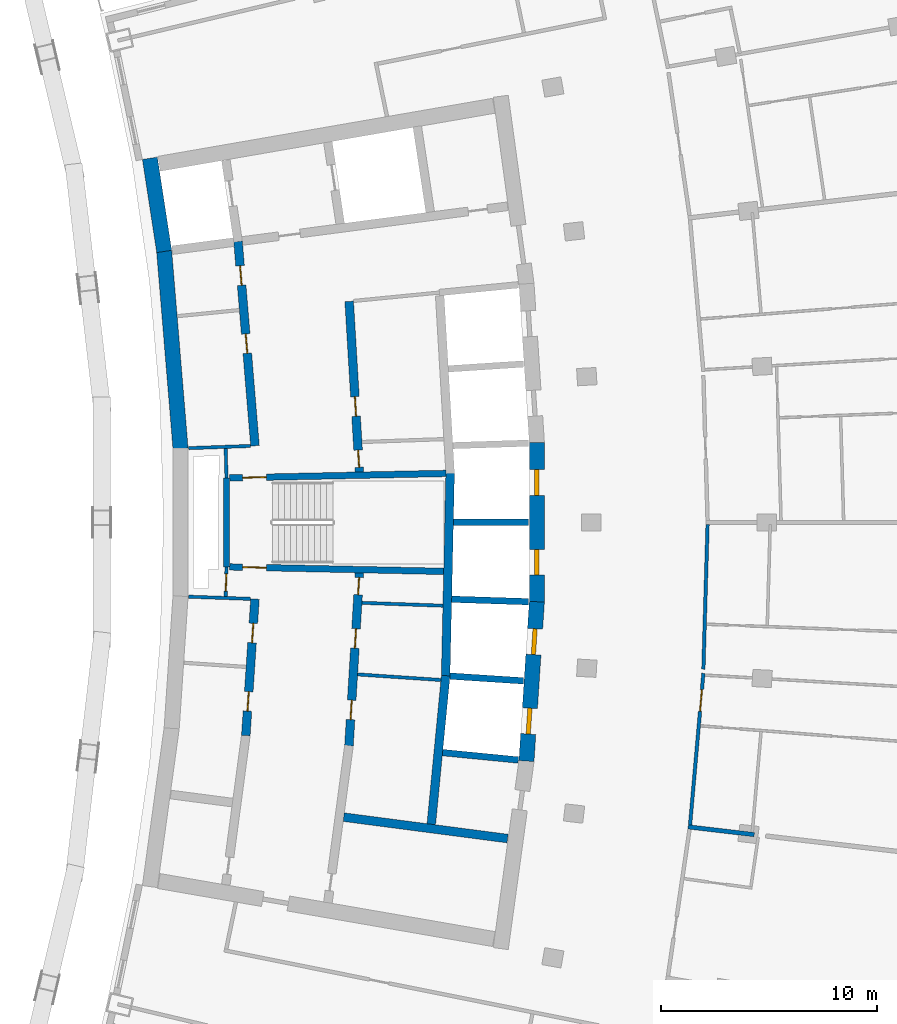
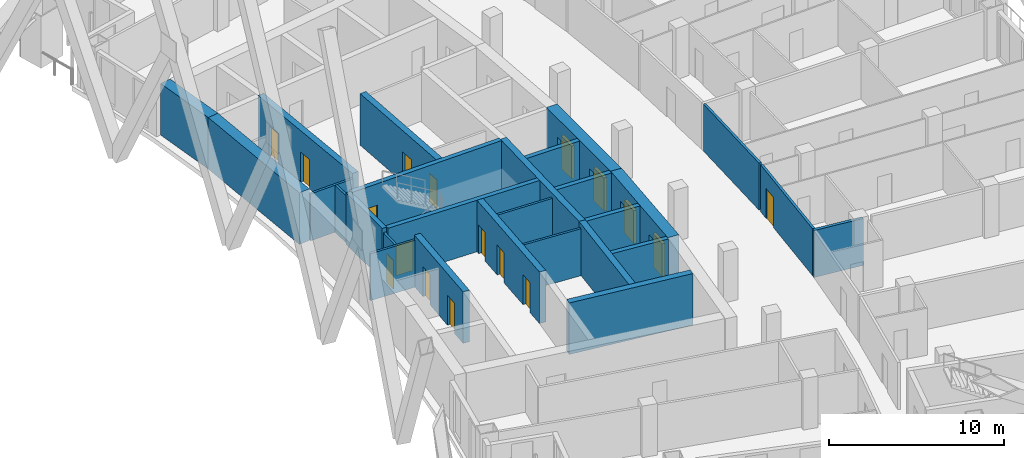
# One storey, part 12 of 20: 27 walls, 17 doors, 17 openings.
"""IFC4 building model written with IfcOpenShell, lengths in metres."""

from ifc_helpers import new_model, si_unit, direction, frame, frame_2d, origin, place, context, subcontext, project, spatial, rectangle, extrude, material, layer, layer_set, type_object, element, fill, save


model = new_model("IFC4")

# Units and contexts
model_context = context("Model", 3, precision=1e-05, world=origin(), true_north=direction((0.0, 1.0)))
body_context = subcontext(model_context, "Body", "Model", "MODEL_VIEW")
ifc_project = project(units=[si_unit("LENGTHUNIT", "METRE"), si_unit("AREAUNIT", "SQUARE_METRE"), si_unit("VOLUMEUNIT", "CUBIC_METRE"), si_unit("PLANEANGLEUNIT", "RADIAN"), si_unit("MASSUNIT", "GRAM", prefix="KILO")], contexts=[model_context])

# Site, building, storey
site_placement = place(None, origin())
site = spatial("IfcSite", under=ifc_project, at=site_placement, CompositionType="ELEMENT")
building_placement = place(site_placement, origin())
building = spatial("IfcBuilding", under=site, at=building_placement, Name="Alderwake Tower", CompositionType="ELEMENT")
storey_placement = place(building_placement, frame((0.0, 0.0, 138.800048828125)))
storey = spatial("IfcBuildingStorey", under=building, at=storey_placement, Name="L33", CompositionType="ELEMENT", Elevation=138.800048828125)

# Wall
ifc_material_1 = material(Name="Gypsum shaft wall system, rated")
ifc_layer_1 = layer(ifc_material_1, 0.14990234375)
ifc_layer_set_1 = layer_set([ifc_layer_1], Name="Core riser partition 150")
wall_type_1 = type_object("IfcWallType", Name="Core riser partition 150", PredefinedType="PARTITIONING", material=ifc_layer_set_1)
wall_1_placement = place(storey_placement, frame((25.1904296875, 57.276611328125, 0.0), z_axis=(0.0, 0.0, 1.0), x_axis=(0.99937350076, -0.035392173974, 0.0)))
element("IfcWall", 1, at=wall_1_placement, inside=storey, type_object=wall_type_1, Name="CW/L33/PR-37_+86", PredefinedType="PARTITIONING", context=body_context, shape_type="SweptSolid", body=[
    extrude(rectangle(XDim=3.752685546875, YDim=0.14990234375, at=frame_2d((1.87646484375, 0.0))), origin(), (0.0, 0.0, 1.0), 3.280029296875),
])

# Wall, opening, door
ifc_material_2 = material(Name="Gypsum shaft wall system, rated")
ifc_layer_2 = layer(ifc_material_2, 0.14990234375)
ifc_layer_set_2 = layer_set([ifc_layer_2], Name="Core room partition 150")
wall_type_2 = type_object("IfcWallType", Name="Core room partition 150", PredefinedType="PARTITIONING", material=ifc_layer_set_2)
wall_2_placement = place(storey_placement, frame((18.918701171875, 58.94384765625, 0.0), z_axis=(0.0, 0.0, 1.0), x_axis=(-0.027811602725, -0.999613182563, 0.0)))
wall_2 = element("IfcWall", 2, at=wall_2_placement, inside=storey, type_object=wall_type_2, Name="CW/L33/PA+24_-37", PredefinedType="PARTITIONING", context=body_context, shape_type="SweptSolid", body=[
    extrude(rectangle(XDim=1.369384765625, YDim=0.14990234375, at=frame_2d((0.6845703125, 0.0))), origin(), (0.0, 0.0, 1.0), 3.280029296875),
])
opening_1_placement = place(wall_2_placement, frame((0.322998046875, 0.0, 0.0)))
opening_1 = element("IfcOpeningElement", 3, at=opening_1_placement, cuts=wall_2, Name="Opening C004", PredefinedType="OPENING", context=body_context, shape_type="SweptSolid", body=[
    extrude(rectangle(XDim=0.800048828125, YDim=2.0, at=frame_2d((0.39990234375, 1.0))), frame((0.0, 0.0849609375, 0.0), z_axis=(0.0, -1.0, 0.0), x_axis=(1.0, 0.0, 0.0)), (0.0, 0.0, 1.0), 0.169921875),
])
ifc_material_3 = material(Name="Painted steel leaf, rated", Category="steel")
door_type_1 = type_object("IfcDoorType", Name="Riser access door 800", OperationType="SINGLE_SWING_LEFT", PredefinedType="DOOR", material=ifc_material_3)
door_1_placement = place(opening_1_placement, origin())
door_1 = element("IfcDoor", 4, at=door_1_placement, inside=storey, type_object=door_type_1, Name="Riser access door", OperationType="SINGLE_SWING_RIGHT", OverallHeight=2.0, OverallWidth=0.800048828125, PredefinedType="DOOR", context=body_context, shape_type="SweptSolid", body=[
    extrude(rectangle(XDim=0.800048828125, YDim=2.0, at=frame_2d((0.39990234375, 1.0))), frame((0.0, 0.02490234375, 0.0), z_axis=(0.0, -1.0, 0.0), x_axis=(1.0, 0.0, 0.0)), (0.0, 0.0, 1.0), 0.050048828125),
])
fill(opening_1, door_1)

# Walls
wall_3_placement = place(storey_placement, frame((18.918701171875, 63.05517578125, 0.0), z_axis=(0.0, 0.0, 1.0), x_axis=(-0.027791791559, 0.99961373356, 0.0)))
element("IfcWall", 5, at=wall_3_placement, inside=storey, type_object=wall_type_2, Name="CW/L33/PA+24_+22", PredefinedType="PARTITIONING", context=body_context, shape_type="SweptSolid", body=[
    extrude(rectangle(XDim=1.370361328125, YDim=0.14990234375, at=frame_2d((0.68505859375, 0.0))), origin(), (0.0, 0.0, 1.0), 3.280029296875),
])
wall_4_placement = place(storey_placement, frame((24.990234375, 53.96142578125, 0.0), z_axis=(0.0, 0.0, 1.0), x_axis=(0.997758824467, -0.06691284031, 0.0)))
element("IfcWall", 6, at=wall_4_placement, inside=storey, type_object=wall_type_2, Name="CW/L33/PR-70_+86", PredefinedType="PARTITIONING", context=body_context, shape_type="SweptSolid", body=[
    extrude(rectangle(XDim=3.86767578125, YDim=0.14990234375, at=frame_2d((1.933837890625, 0.0))), origin(), (0.0, 0.0, 1.0), 3.280029296875),
])
wall_5_placement = place(storey_placement, frame((17.169189453125, 57.560546875, 0.0), z_axis=(0.0, 0.0, 1.0), x_axis=(0.999373538371, -0.03539111194, 0.0)))
element("IfcWall", 7, at=wall_5_placement, inside=storey, type_object=wall_type_2, Name="CW/L33/PR-37_+0", PredefinedType="PARTITIONING", context=body_context, shape_type="SweptSolid", body=[
    extrude(rectangle(XDim=2.86962890625, YDim=0.14990234375, at=frame_2d((1.434814453125, 0.0))), origin(), (0.0, 0.0, 1.0), 3.280029296875),
])
wall_6_placement = place(storey_placement, frame((17.16943359375, 64.439453125, 0.0), z_axis=(0.0, 0.0, 1.0), x_axis=(0.999373431798, 0.035394121201, 0.0)))
element("IfcWall", 8, at=wall_6_placement, inside=storey, type_object=wall_type_2, Name="CW/L33/PR+37_+0", PredefinedType="PARTITIONING", context=body_context, shape_type="SweptSolid", body=[
    extrude(rectangle(XDim=2.869384765625, YDim=0.14990234375, at=frame_2d((1.4345703125, 0.0))), origin(), (0.0, 0.0, 1.0), 3.280029296875),
])
ifc_material_4 = material(Name="Concrete C70/85", Category="concrete")
ifc_layer_3 = layer(ifc_material_4, 0.699951171875)
ifc_layer_set_3 = layer_set([ifc_layer_3], Name="Core wall outer 700 C70-85")
wall_type_3 = type_object("IfcWallType", Name="Core wall outer 700 C70-85", PredefinedType="SHEAR", material=ifc_layer_set_3)
wall_7_placement = place(storey_placement, frame((16.79052734375, 64.4111328125, 0.0), z_axis=(0.0, 0.0, 1.0), x_axis=(-0.082616907099, 0.996581379849, 0.0)))
element("IfcWall", 9, at=wall_7_placement, inside=storey, type_object=wall_type_3, Name="Core wall CW.040", PredefinedType="SHEAR", context=body_context, shape_type="SweptSolid", body=[
    extrude(rectangle(XDim=9.193359375, YDim=0.699951171875, at=frame_2d((4.5966796875, 0.0))), origin(), (0.0, 0.0, 1.0), 3.599853515625),
])
wall_8_placement = place(storey_placement, frame((16.033935546875, 73.547607421875, 0.0), z_axis=(0.0, 0.0, 1.0), x_axis=(-0.151897483467, 0.988396253795, 0.0)))
element("IfcWall", 10, at=wall_8_placement, inside=storey, type_object=wall_type_3, Name="Core wall CW.039", PredefinedType="SHEAR", context=body_context, shape_type="SweptSolid", body=[
    extrude(rectangle(XDim=4.365234375, YDim=0.699951171875, at=frame_2d((2.1826171875, 0.0))), origin(), (0.0, 0.0, 1.0), 3.599853515625),
])

# Wall, openings, doors
wall_9_placement = place(storey_placement, frame((32.810302734375, 49.9482421875, 0.0), z_axis=(0.0, 0.0, 1.0), x_axis=(0.065009096017, 0.99788467141, 0.0)))
wall_9 = element("IfcWall", 11, at=wall_9_placement, inside=storey, type_object=wall_type_3, Name="Core wall CW.011", PredefinedType="SHEAR", context=body_context, shape_type="SweptSolid", body=[
    extrude(rectangle(XDim=7.39453125, YDim=0.699951171875, at=frame_2d((3.697265625, 0.0))), origin(), (0.0, 0.0, 1.0), 3.599853515625),
])
opening_2_placement = place(wall_9_placement, frame((1.255126953125, 0.0, 0.0)))
opening_2 = element("IfcOpeningElement", 12, at=opening_2_placement, cuts=wall_9, Name="Opening LD-HP1", PredefinedType="OPENING", context=body_context, shape_type="SweptSolid", body=[
    extrude(rectangle(XDim=1.199951171875, YDim=2.300048828125, at=frame_2d((0.60009765625, 1.14990234375))), frame((0.0, 0.35986328125, 0.0), z_axis=(0.0, -1.0, 0.0), x_axis=(1.0, 0.0, 0.0)), (0.0, 0.0, 1.0), 0.719970703125),
])
opening_3_placement = place(wall_9_placement, frame((4.9404296875, 0.0, 0.0)))
opening_3 = element("IfcOpeningElement", 13, at=opening_3_placement, cuts=wall_9, Name="Opening LD-HP2", PredefinedType="OPENING", context=body_context, shape_type="SweptSolid", body=[
    extrude(rectangle(XDim=1.199951171875, YDim=2.300048828125, at=frame_2d((0.60009765625, 1.14990234375))), frame((0.0, 0.35986328125, 0.0), z_axis=(0.0, -1.0, 0.0), x_axis=(1.0, 0.0, 0.0)), (0.0, 0.0, 1.0), 0.719970703125),
])
ifc_material_5 = material(Name="Stainless steel sliding leaf", Category="steel")
door_type_2 = type_object("IfcDoorType", Name="Lift landing door 1200", OperationType="SLIDING_TO_LEFT", PredefinedType="DOOR", material=ifc_material_5)
door_2_placement = place(opening_2_placement, origin())
door_2 = element("IfcDoor", 14, at=door_2_placement, inside=storey, type_object=door_type_2, Name="Lift landing door HP1", OperationType="SLIDING_TO_LEFT", OverallHeight=2.300048828125, OverallWidth=1.199951171875, PredefinedType="DOOR", context=body_context, shape_type="SweptSolid", body=[
    extrude(rectangle(XDim=1.199951171875, YDim=2.300048828125, at=frame_2d((0.60009765625, 1.14990234375))), frame((0.0, 0.10009765625, 0.0), z_axis=(0.0, -1.0, 0.0), x_axis=(1.0, 0.0, 0.0)), (0.0, 0.0, 1.0), 0.199951171875),
])
fill(opening_2, door_2)
door_3_placement = place(opening_3_placement, origin())
door_3 = element("IfcDoor", 15, at=door_3_placement, inside=storey, type_object=door_type_2, Name="Lift landing door HP2", OperationType="SLIDING_TO_LEFT", OverallHeight=2.300048828125, OverallWidth=1.199951171875, PredefinedType="DOOR", context=body_context, shape_type="SweptSolid", body=[
    extrude(rectangle(XDim=1.199951171875, YDim=2.300048828125, at=frame_2d((0.60009765625, 1.14990234375))), frame((0.0, 0.10009765625, 0.0), z_axis=(0.0, -1.0, 0.0), x_axis=(1.0, 0.0, 0.0)), (0.0, 0.0, 1.0), 0.199951171875),
])
fill(opening_3, door_3)

wall_10_placement = place(storey_placement, frame((33.2900390625, 57.30322265625, 0.0), z_axis=(0.0, 0.0, 1.0), x_axis=(0.0, 1.0, 0.0)))
wall_10 = element("IfcWall", 16, at=wall_10_placement, inside=storey, type_object=wall_type_3, Name="Core wall CW.013", PredefinedType="SHEAR", context=body_context, shape_type="SweptSolid", body=[
    extrude(rectangle(XDim=7.3935546875, YDim=0.699951171875, at=frame_2d((3.69677734375, 0.0))), origin(), (0.0, 0.0, 1.0), 3.599853515625),
])
opening_4_placement = place(wall_10_placement, frame((1.254150390625, 0.0, 0.0)))
opening_4 = element("IfcOpeningElement", 17, at=opening_4_placement, cuts=wall_10, Name="Opening LD-HP3", PredefinedType="OPENING", context=body_context, shape_type="SweptSolid", body=[
    extrude(rectangle(XDim=1.199951171875, YDim=2.300048828125, at=frame_2d((0.60009765625, 1.14990234375))), frame((0.0, 0.35986328125, 0.0), z_axis=(0.0, -1.0, 0.0), x_axis=(1.0, 0.0, 0.0)), (0.0, 0.0, 1.0), 0.719970703125),
])
opening_5_placement = place(wall_10_placement, frame((4.939208984375, 0.0, 0.0)))
opening_5 = element("IfcOpeningElement", 18, at=opening_5_placement, cuts=wall_10, Name="Opening LD-HP4", PredefinedType="OPENING", context=body_context, shape_type="SweptSolid", body=[
    extrude(rectangle(XDim=1.199951171875, YDim=2.300048828125, at=frame_2d((0.60009765625, 1.14990234375))), frame((0.0, 0.35986328125, 0.0), z_axis=(0.0, -1.0, 0.0), x_axis=(1.0, 0.0, 0.0)), (0.0, 0.0, 1.0), 0.719970703125),
])
door_4_placement = place(opening_4_placement, origin())
door_4 = element("IfcDoor", 19, at=door_4_placement, inside=storey, type_object=door_type_2, Name="Lift landing door HP3", OperationType="SLIDING_TO_LEFT", OverallHeight=2.300048828125, OverallWidth=1.199951171875, PredefinedType="DOOR", context=body_context, shape_type="SweptSolid", body=[
    extrude(rectangle(XDim=1.199951171875, YDim=2.300048828125, at=frame_2d((0.60009765625, 1.14990234375))), frame((0.0, 0.10009765625, 0.0), z_axis=(0.0, -1.0, 0.0), x_axis=(1.0, 0.0, 0.0)), (0.0, 0.0, 1.0), 0.199951171875),
])
fill(opening_4, door_4)
door_5_placement = place(opening_5_placement, origin())
door_5 = element("IfcDoor", 20, at=door_5_placement, inside=storey, type_object=door_type_2, Name="Lift landing door HP4", OperationType="SLIDING_TO_LEFT", OverallHeight=2.300048828125, OverallWidth=1.199951171875, PredefinedType="DOOR", context=body_context, shape_type="SweptSolid", body=[
    extrude(rectangle(XDim=1.199951171875, YDim=2.300048828125, at=frame_2d((0.60009765625, 1.14990234375))), frame((0.0, 0.10009765625, 0.0), z_axis=(0.0, -1.0, 0.0), x_axis=(1.0, 0.0, 0.0)), (0.0, 0.0, 1.0), 0.199951171875),
])
fill(opening_5, door_5)

# Walls
ifc_material_6 = material(Name="Concrete C70/85", Category="concrete")
ifc_layer_4 = layer(ifc_material_6, 0.300048828125)
ifc_layer_set_4 = layer_set([ifc_layer_4], Name="Core wall shaft 300 C70-85")
wall_type_4 = type_object("IfcWallType", Name="Core wall shaft 300 C70-85", PredefinedType="SHEAR", material=ifc_layer_set_4)
wall_11_placement = place(storey_placement, frame((28.92529296875, 50.341552734375, 0.0), z_axis=(0.0, 0.0, 1.0), x_axis=(0.995245524877, -0.097397870674, 0.0)))
element("IfcWall", 21, at=wall_11_placement, inside=storey, type_object=wall_type_4, Name="Core wall CW.064", PredefinedType="SHEAR", context=body_context, shape_type="SweptSolid", body=[
    extrude(rectangle(XDim=3.5244140625, YDim=0.300048828125, at=frame_2d((1.76220703125, 0.0))), origin(), (0.0, 0.0, 1.0), 3.599853515625),
])
wall_12_placement = place(storey_placement, frame((29.268798828125, 53.884521484375, 0.0), z_axis=(0.0, 0.0, 1.0), x_axis=(0.997884450261, -0.065012490553, 0.0)))
element("IfcWall", 22, at=wall_12_placement, inside=storey, type_object=wall_type_4, Name="Core wall CW.078", PredefinedType="SHEAR", context=body_context, shape_type="SweptSolid", body=[
    extrude(rectangle(XDim=3.409912109375, YDim=0.300048828125, at=frame_2d((1.705078125, 0.0))), origin(), (0.0, 0.0, 1.0), 3.599853515625),
])
wall_13_placement = place(storey_placement, frame((29.347412109375, 57.443603515625, 0.0), z_axis=(0.0, 0.0, 1.0), x_axis=(0.999470674121, -0.03253262319, 0.0)))
element("IfcWall", 23, at=wall_13_placement, inside=storey, type_object=wall_type_4, Name="Core wall CW.075", PredefinedType="SHEAR", context=body_context, shape_type="SweptSolid", body=[
    extrude(rectangle(XDim=3.564697265625, YDim=0.300048828125, at=frame_2d((1.7822265625, 0.0))), origin(), (0.0, 0.0, 1.0), 3.599853515625),
])
wall_14_placement = place(storey_placement, frame((29.426025390625, 61.0, 0.0), z_axis=(0.0, 0.0, 1.0), x_axis=(1.0, 0.0, 0.0)))
element("IfcWall", 24, at=wall_14_placement, inside=storey, type_object=wall_type_4, Name="Core wall CW.048", PredefinedType="SHEAR", context=body_context, shape_type="SweptSolid", body=[
    extrude(rectangle(XDim=3.484130859375, YDim=0.300048828125, at=frame_2d((1.7421875, 0.0))), origin(), (0.0, 0.0, 1.0), 3.599853515625),
])

# Wall, openings, doors
ifc_material_7 = material(Name="Concrete C70/85", Category="concrete")
ifc_layer_5 = layer(ifc_material_7, 0.39990234375)
ifc_layer_set_5 = layer_set([ifc_layer_5], Name="Core wall spine 400 C70-85")
wall_type_5 = type_object("IfcWallType", Name="Core wall spine 400 C70-85", PredefinedType="SHEAR", material=ifc_layer_set_5)
wall_15_placement = place(storey_placement, frame((20.2373046875, 57.451904296875, 0.0), z_axis=(0.0, 0.0, 1.0), x_axis=(-0.066887252767, -0.997760540118, 0.0)))
wall_15 = element("IfcWall", 25, at=wall_15_placement, inside=storey, type_object=wall_type_5, Name="Core wall CW.032", PredefinedType="SHEAR", context=body_context, shape_type="SweptSolid", body=[
    extrude(rectangle(XDim=6.33642578125, YDim=0.39990234375, at=frame_2d((3.168212890625, 0.0))), origin(), (0.0, 0.0, 1.0), 3.599853515625),
])
opening_6_placement = place(wall_15_placement, frame((4.29736328125, 0.0, 0.0)))
opening_6 = element("IfcOpeningElement", 26, at=opening_6_placement, cuts=wall_15, Name="Opening C038", PredefinedType="OPENING", context=body_context, shape_type="SweptSolid", body=[
    extrude(rectangle(XDim=0.89990234375, YDim=2.10009765625, at=frame_2d((0.449951171875, 1.050048828125))), frame((0.0, 0.2099609375, 0.0), z_axis=(0.0, -1.0, 0.0), x_axis=(1.0, 0.0, 0.0)), (0.0, 0.0, 1.0), 0.419921875),
])
opening_7_placement = place(wall_15_placement, frame((1.132080078125, 0.0, 0.0)))
opening_7 = element("IfcOpeningElement", 27, at=opening_7_placement, cuts=wall_15, Name="Opening C042", PredefinedType="OPENING", context=body_context, shape_type="SweptSolid", body=[
    extrude(rectangle(XDim=0.89990234375, YDim=2.10009765625, at=frame_2d((0.449951171875, 1.050048828125))), frame((0.0, 0.2099609375, 0.0), z_axis=(0.0, -1.0, 0.0), x_axis=(1.0, 0.0, 0.0)), (0.0, 0.0, 1.0), 0.419921875),
])
ifc_material_8 = material(Name="Painted steel leaf", Category="steel")
door_type_3 = type_object("IfcDoorType", Name="Core room door 900", OperationType="SINGLE_SWING_LEFT", PredefinedType="DOOR", material=ifc_material_8)
door_6_placement = place(opening_6_placement, origin())
door_6 = element("IfcDoor", 28, at=door_6_placement, inside=storey, type_object=door_type_3, Name="Room door", OperationType="SINGLE_SWING_RIGHT", OverallHeight=2.10009765625, OverallWidth=0.89990234375, PredefinedType="DOOR", context=body_context, shape_type="SweptSolid", body=[
    extrude(rectangle(XDim=0.89990234375, YDim=2.10009765625, at=frame_2d((0.449951171875, 1.050048828125))), frame((0.0, 0.02490234375, 0.0), z_axis=(0.0, -1.0, 0.0), x_axis=(1.0, 0.0, 0.0)), (0.0, 0.0, 1.0), 0.050048828125),
])
fill(opening_6, door_6)
door_7_placement = place(opening_7_placement, origin())
door_7 = element("IfcDoor", 29, at=door_7_placement, inside=storey, type_object=door_type_3, Name="Room door", OperationType="SINGLE_SWING_LEFT", OverallHeight=2.10009765625, OverallWidth=0.89990234375, PredefinedType="DOOR", context=body_context, shape_type="SweptSolid", body=[
    extrude(rectangle(XDim=0.89990234375, YDim=2.10009765625, at=frame_2d((0.449951171875, 1.050048828125))), frame((0.0, 0.02490234375, 0.0), z_axis=(0.0, -1.0, 0.0), x_axis=(1.0, 0.0, 0.0)), (0.0, 0.0, 1.0), 0.050048828125),
])
fill(opening_7, door_7)

wall_16_placement = place(storey_placement, frame((19.452392578125, 74.014892578125, 0.0), z_axis=(0.0, 0.0, 1.0), x_axis=(0.082628585297, -0.996580411654, 0.0)))
wall_16 = element("IfcWall", 30, at=wall_16_placement, inside=storey, type_object=wall_type_5, Name="Core wall CW.031", PredefinedType="SHEAR", context=body_context, shape_type="SweptSolid", body=[
    extrude(rectangle(XDim=9.499267578125, YDim=0.39990234375, at=frame_2d((4.74951171875, 0.0))), origin(), (0.0, 0.0, 1.0), 3.599853515625),
])
opening_8_placement = place(wall_16_placement, frame((4.302978515625, 0.0, 0.0)))
opening_8 = element("IfcOpeningElement", 31, at=opening_8_placement, cuts=wall_16, Name="Opening C052", PredefinedType="OPENING", context=body_context, shape_type="SweptSolid", body=[
    extrude(rectangle(XDim=0.89990234375, YDim=2.10009765625, at=frame_2d((0.449951171875, 1.050048828125))), frame((0.0, 0.2099609375, 0.0), z_axis=(0.0, -1.0, 0.0), x_axis=(1.0, 0.0, 0.0)), (0.0, 0.0, 1.0), 0.419921875),
])
opening_9_placement = place(wall_16_placement, frame((1.138427734375, 0.0, 0.0)))
opening_9 = element("IfcOpeningElement", 32, at=opening_9_placement, cuts=wall_16, Name="Opening C056", PredefinedType="OPENING", context=body_context, shape_type="SweptSolid", body=[
    extrude(rectangle(XDim=0.89990234375, YDim=2.10009765625, at=frame_2d((0.449951171875, 1.050048828125))), frame((0.0, 0.2099609375, 0.0), z_axis=(0.0, -1.0, 0.0), x_axis=(1.0, 0.0, 0.0)), (0.0, 0.0, 1.0), 0.419921875),
])
door_8_placement = place(opening_8_placement, origin())
door_8 = element("IfcDoor", 33, at=door_8_placement, inside=storey, type_object=door_type_3, Name="Room door", OperationType="SINGLE_SWING_LEFT", OverallHeight=2.10009765625, OverallWidth=0.89990234375, PredefinedType="DOOR", context=body_context, shape_type="SweptSolid", body=[
    extrude(rectangle(XDim=0.89990234375, YDim=2.10009765625, at=frame_2d((0.449951171875, 1.050048828125))), frame((0.0, 0.02490234375, 0.0), z_axis=(0.0, -1.0, 0.0), x_axis=(1.0, 0.0, 0.0)), (0.0, 0.0, 1.0), 0.050048828125),
])
fill(opening_8, door_8)
door_9_placement = place(opening_9_placement, origin())
door_9 = element("IfcDoor", 34, at=door_9_placement, inside=storey, type_object=door_type_3, Name="Room door", OperationType="SINGLE_SWING_RIGHT", OverallHeight=2.10009765625, OverallWidth=0.89990234375, PredefinedType="DOOR", context=body_context, shape_type="SweptSolid", body=[
    extrude(rectangle(XDim=0.89990234375, YDim=2.10009765625, at=frame_2d((0.449951171875, 1.050048828125))), frame((0.0, 0.02490234375, 0.0), z_axis=(0.0, -1.0, 0.0), x_axis=(1.0, 0.0, 0.0)), (0.0, 0.0, 1.0), 0.050048828125),
])
fill(opening_9, door_9)

wall_17_placement = place(storey_placement, frame((24.590087890625, 50.656982421875, 0.0), z_axis=(0.0, 0.0, 1.0), x_axis=(0.060320473855, 0.99817906231, 0.0)))
wall_17 = element("IfcWall", 35, at=wall_17_placement, inside=storey, type_object=wall_type_5, Name="Core wall CW.046", PredefinedType="SHEAR", context=body_context, shape_type="SweptSolid", body=[
    extrude(rectangle(XDim=8.02197265625, YDim=0.39990234375, at=frame_2d((4.010986328125, 0.0))), origin(), (0.0, 0.0, 1.0), 3.599853515625),
])
opening_10_placement = place(wall_17_placement, frame((7.005859375, 0.0, 0.0)))
opening_10 = element("IfcOpeningElement", 36, at=opening_10_placement, cuts=wall_17, Name="Opening C006", PredefinedType="OPENING", context=body_context, shape_type="SweptSolid", body=[
    extrude(rectangle(XDim=0.800048828125, YDim=2.0, at=frame_2d((0.39990234375, 1.0))), frame((0.0, 0.2099609375, 0.0), z_axis=(0.0, -1.0, 0.0), x_axis=(1.0, 0.0, 0.0)), (0.0, 0.0, 1.0), 0.419921875),
])
opening_11_placement = place(wall_17_placement, frame((1.21533203125, 0.0, 0.0)))
opening_11 = element("IfcOpeningElement", 37, at=opening_11_placement, cuts=wall_17, Name="Opening C044", PredefinedType="OPENING", context=body_context, shape_type="SweptSolid", body=[
    extrude(rectangle(XDim=0.89990234375, YDim=2.10009765625, at=frame_2d((0.449951171875, 1.050048828125))), frame((0.0, 0.2099609375, 0.0), z_axis=(0.0, -1.0, 0.0), x_axis=(1.0, 0.0, 0.0)), (0.0, 0.0, 1.0), 0.419921875),
])
opening_12_placement = place(wall_17_placement, frame((4.53173828125, 0.0, 0.0)))
opening_12 = element("IfcOpeningElement", 38, at=opening_12_placement, cuts=wall_17, Name="Opening C048", PredefinedType="OPENING", context=body_context, shape_type="SweptSolid", body=[
    extrude(rectangle(XDim=0.89990234375, YDim=2.10009765625, at=frame_2d((0.449951171875, 1.050048828125))), frame((0.0, 0.2099609375, 0.0), z_axis=(0.0, -1.0, 0.0), x_axis=(1.0, 0.0, 0.0)), (0.0, 0.0, 1.0), 0.419921875),
])
door_10_placement = place(opening_11_placement, origin())
door_10 = element("IfcDoor", 39, at=door_10_placement, inside=storey, type_object=door_type_3, Name="Room door", OperationType="SINGLE_SWING_RIGHT", OverallHeight=2.10009765625, OverallWidth=0.89990234375, PredefinedType="DOOR", context=body_context, shape_type="SweptSolid", body=[
    extrude(rectangle(XDim=0.89990234375, YDim=2.10009765625, at=frame_2d((0.449951171875, 1.050048828125))), frame((0.0, 0.02490234375, 0.0), z_axis=(0.0, -1.0, 0.0), x_axis=(1.0, 0.0, 0.0)), (0.0, 0.0, 1.0), 0.050048828125),
])
fill(opening_11, door_10)
door_11_placement = place(opening_12_placement, origin())
door_11 = element("IfcDoor", 40, at=door_11_placement, inside=storey, type_object=door_type_3, Name="Room door", OperationType="SINGLE_SWING_LEFT", OverallHeight=2.10009765625, OverallWidth=0.89990234375, PredefinedType="DOOR", context=body_context, shape_type="SweptSolid", body=[
    extrude(rectangle(XDim=0.89990234375, YDim=2.10009765625, at=frame_2d((0.449951171875, 1.050048828125))), frame((0.0, 0.02490234375, 0.0), z_axis=(0.0, -1.0, 0.0), x_axis=(1.0, 0.0, 0.0)), (0.0, 0.0, 1.0), 0.050048828125),
])
fill(opening_12, door_11)
door_12_placement = place(opening_10_placement, origin())
door_12 = element("IfcDoor", 41, at=door_12_placement, inside=storey, type_object=door_type_1, Name="Riser access door", OperationType="SINGLE_SWING_RIGHT", OverallHeight=2.0, OverallWidth=0.800048828125, PredefinedType="DOOR", context=body_context, shape_type="SweptSolid", body=[
    extrude(rectangle(XDim=0.800048828125, YDim=2.0, at=frame_2d((0.39990234375, 1.0))), frame((0.0, 0.02490234375, 0.0), z_axis=(0.0, -1.0, 0.0), x_axis=(1.0, 0.0, 0.0)), (0.0, 0.0, 1.0), 0.050048828125),
])
fill(opening_10, door_12)

wall_18_placement = place(storey_placement, frame((25.073974609375, 63.335693359375, 0.0), z_axis=(0.0, 0.0, 1.0), x_axis=(-0.059848641072, 0.998207463487, 0.0)))
wall_18 = element("IfcWall", 42, at=wall_18_placement, inside=storey, type_object=wall_type_5, Name="Core wall CW.045", PredefinedType="SHEAR", context=body_context, shape_type="SweptSolid", body=[
    extrude(rectangle(XDim=7.913818359375, YDim=0.39990234375, at=frame_2d((3.95703125, 0.0))), origin(), (0.0, 0.0, 1.0), 3.599853515625),
])
opening_13_placement = place(wall_18_placement, frame((0.216064453125, 0.0, 0.0)))
opening_13 = element("IfcOpeningElement", 43, at=opening_13_placement, cuts=wall_18, Name="Opening C005", PredefinedType="OPENING", context=body_context, shape_type="SweptSolid", body=[
    extrude(rectangle(XDim=0.800048828125, YDim=2.0, at=frame_2d((0.39990234375, 1.0))), frame((0.0, 0.2099609375, 0.0), z_axis=(0.0, -1.0, 0.0), x_axis=(1.0, 0.0, 0.0)), (0.0, 0.0, 1.0), 0.419921875),
])
opening_14_placement = place(wall_18_placement, frame((2.590087890625, 0.0, 0.0)))
opening_14 = element("IfcOpeningElement", 44, at=opening_14_placement, cuts=wall_18, Name="Opening C057", PredefinedType="OPENING", context=body_context, shape_type="SweptSolid", body=[
    extrude(rectangle(XDim=0.89990234375, YDim=2.10009765625, at=frame_2d((0.449951171875, 1.050048828125))), frame((0.0, 0.2099609375, 0.0), z_axis=(0.0, -1.0, 0.0), x_axis=(1.0, 0.0, 0.0)), (0.0, 0.0, 1.0), 0.419921875),
])
door_13_placement = place(opening_14_placement, origin())
door_13 = element("IfcDoor", 45, at=door_13_placement, inside=storey, type_object=door_type_3, Name="Room door", OperationType="SINGLE_SWING_LEFT", OverallHeight=2.10009765625, OverallWidth=0.89990234375, PredefinedType="DOOR", context=body_context, shape_type="SweptSolid", body=[
    extrude(rectangle(XDim=0.89990234375, YDim=2.10009765625, at=frame_2d((0.449951171875, 1.050048828125))), frame((0.0, 0.02490234375, 0.0), z_axis=(0.0, -1.0, 0.0), x_axis=(1.0, 0.0, 0.0)), (0.0, 0.0, 1.0), 0.050048828125),
])
fill(opening_14, door_13)
door_14_placement = place(opening_13_placement, origin())
door_14 = element("IfcDoor", 46, at=door_14_placement, inside=storey, type_object=door_type_1, Name="Riser access door", OperationType="SINGLE_SWING_LEFT", OverallHeight=2.0, OverallWidth=0.800048828125, PredefinedType="DOOR", context=body_context, shape_type="SweptSolid", body=[
    extrude(rectangle(XDim=0.800048828125, YDim=2.0, at=frame_2d((0.39990234375, 1.0))), frame((0.0, 0.02490234375, 0.0), z_axis=(0.0, -1.0, 0.0), x_axis=(1.0, 0.0, 0.0)), (0.0, 0.0, 1.0), 0.050048828125),
])
fill(opening_13, door_14)

# Walls
wall_19_placement = place(storey_placement, frame((28.402587890625, 47.0234375, 0.0), z_axis=(0.0, 0.0, 1.0), x_axis=(0.096500230077, 0.995332962177, 0.0)))
element("IfcWall", 47, at=wall_19_placement, inside=storey, type_object=wall_type_5, Name="Core wall CW.005", PredefinedType="SHEAR", context=body_context, shape_type="SweptSolid", body=[
    extrude(rectangle(XDim=6.914306640625, YDim=0.39990234375, at=frame_2d((3.45703125, 0.0))), origin(), (0.0, 0.0, 1.0), 3.599853515625),
])
wall_20_placement = place(storey_placement, frame((29.06884765625, 53.8896484375, 0.0), z_axis=(0.0, 0.0, 1.0), x_axis=(0.022115722908, 0.99975541749, 0.0)))
element("IfcWall", 48, at=wall_20_placement, inside=storey, type_object=wall_type_5, Name="Core wall CW.008", PredefinedType="SHEAR", context=body_context, shape_type="SweptSolid", body=[
    extrude(rectangle(XDim=9.394287109375, YDim=0.39990234375, at=frame_2d((4.697265625, 0.0))), origin(), (0.0, 0.0, 1.0), 3.599853515625),
])
wall_21_placement = place(storey_placement, frame((24.347900390625, 47.35205078125, 0.0), z_axis=(0.0, 0.0, 1.0), x_axis=(0.991554795689, -0.129688423329, 0.0)))
element("IfcWall", 49, at=wall_21_placement, inside=storey, type_object=wall_type_5, Name="Core wall CW.069", PredefinedType="SHEAR", context=body_context, shape_type="SweptSolid", body=[
    extrude(rectangle(XDim=7.650634765625, YDim=0.39990234375, at=frame_2d((3.8251953125, 0.0))), origin(), (0.0, 0.0, 1.0), 3.599853515625),
])
ifc_material_9 = material(Name="Concrete C70/85", Category="concrete")
ifc_layer_6 = layer(ifc_material_9, 0.300048828125)
ifc_layer_set_6 = layer_set([ifc_layer_6], Name="Core wall stair enclosure 300 C70-85")
wall_type_6 = type_object("IfcWallType", Name="Core wall stair enclosure 300 C70-85", PredefinedType="SHEAR", material=ifc_layer_set_6)
wall_22_placement = place(storey_placement, frame((18.918701171875, 58.940673828125, 0.0), z_axis=(0.0, 0.0, 1.0), x_axis=(0.0, 1.0, 0.0)))
element("IfcWall", 50, at=wall_22_placement, inside=storey, type_object=wall_type_6, Name="Core wall CW.024", PredefinedType="SHEAR", context=body_context, shape_type="SweptSolid", body=[
    extrude(rectangle(XDim=4.11962890625, YDim=0.300048828125, at=frame_2d((2.059814453125, 0.0))), origin(), (0.0, 0.0, 1.0), 3.599853515625),
])

# Wall, opening, door
wall_23_placement = place(storey_placement, frame((28.975830078125, 58.733154296875, 0.0), z_axis=(0.0, 0.0, 1.0), x_axis=(-0.999783782948, 0.020793925895, 0.0)))
wall_23 = element("IfcWall", 51, at=wall_23_placement, inside=storey, type_object=wall_type_6, Name="Core wall CW.074", PredefinedType="SHEAR", context=body_context, shape_type="SweptSolid", body=[
    extrude(rectangle(XDim=9.909423828125, YDim=0.300048828125, at=frame_2d((4.95458984375, 0.0))), origin(), (0.0, 0.0, 1.0), 3.599853515625),
])
opening_15_placement = place(wall_23_placement, frame((8.20947265625, 0.0, 0.0)))
opening_15 = element("IfcOpeningElement", 52, at=opening_15_placement, cuts=wall_23, Name="Opening C063", PredefinedType="OPENING", context=body_context, shape_type="SweptSolid", body=[
    extrude(rectangle(XDim=1.10009765625, YDim=2.10009765625, at=frame_2d((0.550048828125, 1.050048828125))), frame((0.0, 0.159912109375, 0.0), z_axis=(0.0, -1.0, 0.0), x_axis=(1.0, 0.0, 0.0)), (0.0, 0.0, 1.0), 0.320068359375),
])
ifc_material_10 = material(Name="Steel-framed fire door leaf", Category="steel")
door_type_4 = type_object("IfcDoorType", Name="Core stair door 1100 fire-rated", OperationType="SINGLE_SWING_LEFT", PredefinedType="DOOR", material=ifc_material_10)
door_15_placement = place(opening_15_placement, origin())
door_15 = element("IfcDoor", 53, at=door_15_placement, inside=storey, type_object=door_type_4, Name="Stair door", OperationType="SINGLE_SWING_LEFT", OverallHeight=2.10009765625, OverallWidth=1.10009765625, PredefinedType="DOOR", context=body_context, shape_type="SweptSolid", body=[
    extrude(rectangle(XDim=1.10009765625, YDim=2.10009765625, at=frame_2d((0.550048828125, 1.050048828125))), frame((0.0, 0.02490234375, 0.0), z_axis=(0.0, -1.0, 0.0), x_axis=(1.0, 0.0, 0.0)), (0.0, 0.0, 1.0), 0.050048828125),
])
fill(opening_15, door_15)

wall_24_placement = place(storey_placement, frame((19.068603515625, 63.060791015625, 0.0), z_axis=(0.0, 0.0, 1.0), x_axis=(0.999783553773, 0.02080494185, 0.0)))
wall_24 = element("IfcWall", 54, at=wall_24_placement, inside=storey, type_object=wall_type_6, Name="Core wall CW.057", PredefinedType="SHEAR", context=body_context, shape_type="SweptSolid", body=[
    extrude(rectangle(XDim=10.009765625, YDim=0.300048828125, at=frame_2d((5.0048828125, 0.0))), origin(), (0.0, 0.0, 1.0), 3.599853515625),
])
opening_16_placement = place(wall_24_placement, frame((0.60009765625, 0.0, 0.0)))
opening_16 = element("IfcOpeningElement", 55, at=opening_16_placement, cuts=wall_24, Name="Opening C064", PredefinedType="OPENING", context=body_context, shape_type="SweptSolid", body=[
    extrude(rectangle(XDim=1.10009765625, YDim=2.10009765625, at=frame_2d((0.550048828125, 1.050048828125))), frame((0.0, 0.159912109375, 0.0), z_axis=(0.0, -1.0, 0.0), x_axis=(1.0, 0.0, 0.0)), (0.0, 0.0, 1.0), 0.320068359375),
])
door_16_placement = place(opening_16_placement, origin())
door_16 = element("IfcDoor", 56, at=door_16_placement, inside=storey, type_object=door_type_4, Name="Stair door", OperationType="SINGLE_SWING_RIGHT", OverallHeight=2.10009765625, OverallWidth=1.10009765625, PredefinedType="DOOR", context=body_context, shape_type="SweptSolid", body=[
    extrude(rectangle(XDim=1.10009765625, YDim=2.10009765625, at=frame_2d((0.550048828125, 1.050048828125))), frame((0.0, 0.02490234375, 0.0), z_axis=(0.0, -1.0, 0.0), x_axis=(1.0, 0.0, 0.0)), (0.0, 0.0, 1.0), 0.050048828125),
])
fill(opening_16, door_16)

ifc_material_11 = material(Name="Gypsum board on metal studs, rated")
ifc_layer_7 = layer(ifc_material_11, 0.159912109375)
ifc_layer_set_7 = layer_set([ifc_layer_7], Name="Corridor wall 160")
wall_type_7 = type_object("IfcWallType", Name="Corridor wall 160", PredefinedType="PARTITIONING", material=ifc_layer_set_7)
wall_25_placement = place(storey_placement, frame((41.001953125, 54.013671875, 0.0), z_axis=(0.0, 0.0, 1.0), x_axis=(-0.087430787456, -0.996170596537, 0.0)))
wall_25 = element("IfcWall", 57, at=wall_25_placement, inside=storey, type_object=wall_type_7, Name="WL/L33/W24", PredefinedType="PARTITIONING", context=body_context, shape_type="SweptSolid", body=[
    extrude(rectangle(XDim=7.048095703125, YDim=0.159912109375, at=frame_2d((3.52392578125, 0.0))), origin(), (0.0, 0.0, 1.0), 3.280029296875),
])
opening_17_placement = place(wall_25_placement, frame((0.75830078125, 0.0, 0.0)))
opening_17 = element("IfcOpeningElement", 58, at=opening_17_placement, cuts=wall_25, Name="Opening R09-U05.2", PredefinedType="OPENING", context=body_context, shape_type="SweptSolid", body=[
    extrude(rectangle(XDim=1.0, YDim=2.10009765625, at=frame_2d((0.5, 1.050048828125))), frame((0.0, 0.08984375, 0.0), z_axis=(0.0, -1.0, 0.0), x_axis=(1.0, 0.0, 0.0)), (0.0, 0.0, 1.0), 0.179931640625),
])
ifc_material_12 = material(Name="Solid timber leaf in steel frame", Category="steel")
door_type_5 = type_object("IfcDoorType", Name="Flat entrance door 1000 fire-rated", OperationType="SINGLE_SWING_LEFT", PredefinedType="DOOR", material=ifc_material_12)
door_17_placement = place(opening_17_placement, origin())
door_17 = element("IfcDoor", 59, at=door_17_placement, inside=storey, type_object=door_type_5, Name="DR/L33/U05.2", OperationType="SINGLE_SWING_LEFT", OverallHeight=2.10009765625, OverallWidth=1.0, PredefinedType="DOOR", context=body_context, shape_type="SweptSolid", body=[
    extrude(rectangle(XDim=1.0, YDim=2.10009765625, at=frame_2d((0.5, 1.050048828125))), frame((0.0, 0.02490234375, 0.0), z_axis=(0.0, -1.0, 0.0), x_axis=(1.0, 0.0, 0.0)), (0.0, 0.0, 1.0), 0.050048828125),
])
fill(opening_17, door_17)

# Walls
wall_26_placement = place(storey_placement, frame((41.002685546875, 54.20068359375, 0.0), z_axis=(0.0, 0.0, 1.0), x_axis=(0.028855161601, 0.999583603131, 0.0)))
element("IfcWall", 60, at=wall_26_placement, inside=storey, type_object=wall_type_7, Name="WL/L33/W26", PredefinedType="PARTITIONING", context=body_context, shape_type="SweptSolid", body=[
    extrude(rectangle(XDim=6.700927734375, YDim=0.159912109375, at=frame_2d((3.3505859375, 0.0))), origin(), (0.0, 0.0, 1.0), 3.280029296875),
])
ifc_material_13 = material(Name="Dense block masonry wall", Category="masonry")
ifc_layer_8 = layer(ifc_material_13, 0.199951171875)
ifc_layer_set_8 = layer_set([ifc_layer_8], Name="Party wall 200")
wall_type_8 = type_object("IfcWallType", Name="Party wall 200", PredefinedType="SOLIDWALL", material=ifc_layer_set_8)
wall_27_placement = place(storey_placement, frame((43.356201171875, 46.542236328125, 0.0), z_axis=(0.0, 0.0, 1.0), x_axis=(-0.993140319253, 0.116928637524, 0.0)))
element("IfcWall", 61, at=wall_27_placement, inside=storey, type_object=wall_type_8, Name="WL/L33/W02", PredefinedType="SOLIDWALL", context=body_context, shape_type="SweptSolid", body=[
    extrude(rectangle(XDim=3.079833984375, YDim=0.199951171875, at=frame_2d((1.5400390625, 0.0))), origin(), (0.0, 0.0, 1.0), 3.280029296875),
])

save(model, "model.ifc")
